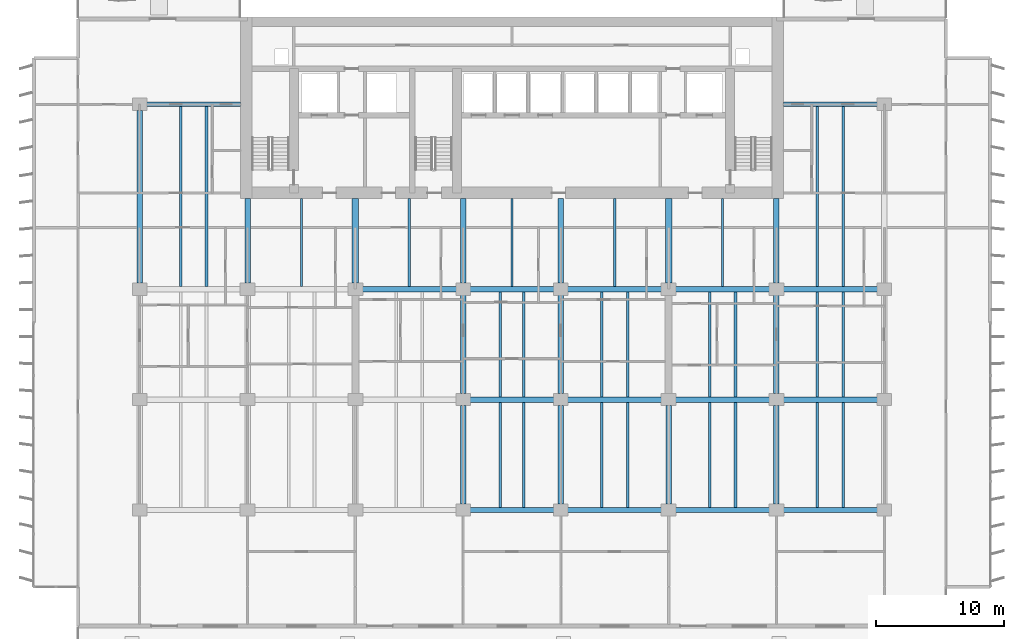
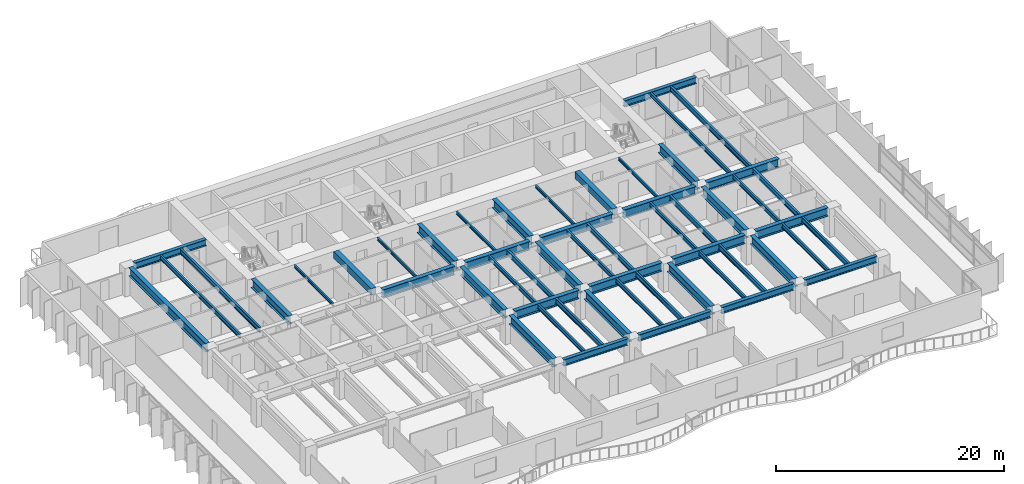
# One storey, part 3 of 16: 54 beams.
"""IFC4 building model written with IfcOpenShell, lengths in metres."""

import ifcopenshell
import ifcopenshell.guid

model = None  # the IFC model being written
_history = None  # IfcOwnerHistory: only IFC2X3 demands one
_inside = {}  # id of a spatial element -> (the spatial element, [elements in it])
_under = {}  # id of a project, library or spatial element -> (it, [spatial elements below it])
_declared = {}  # id of a project -> (the project, [libraries it declares])
_typed = {}  # id of a type object -> (the type object, [elements of that type])
_made_of = {}  # id of a material, layer set ... -> (it, [elements and type objects made of it])


def new_model(schema):
    """Start an empty IFC model of exactly this schema.

    Asked for "IFC4X3", IfcOpenShell would pick the latest addendum, in which some entities
    have other attributes; the version numbers below select the first issue.
    IFC2X3 requires an IfcOwnerHistory on every rooted entity: one is made here for all.
    """
    global model, _history
    if schema == "IFC4X3":
        model = ifcopenshell.file(schema_version=(4, 3, 0, 0))
    else:
        model = ifcopenshell.file(schema=schema)
    _inside.clear()
    _under.clear()
    _declared.clear()
    _typed.clear()
    _made_of.clear()
    _history = None
    if model.schema == "IFC2X3":
        org = make("IfcOrganization", Name="unknown")
        user = make(
            "IfcPersonAndOrganization",
            ThePerson=make("IfcPerson", FamilyName="unknown"),
            TheOrganization=org,
        )
        app = make(
            "IfcApplication",
            ApplicationDeveloper=org,
            Version="unknown",
            ApplicationFullName="unknown",
            ApplicationIdentifier="unknown",
        )
        _history = make(
            "IfcOwnerHistory",
            OwningUser=user,
            OwningApplication=app,
            ChangeAction="ADDED",
            CreationDate=0,
        )
    return model


def make(cls, **values):
    """One entity of the class cls with the attributes given. An attribute that is None is left unset."""
    return model.create_entity(
        cls, **{name: value for name, value in values.items() if value is not None}
    )


def rooted(cls, **values):
    """An entity with a GlobalId (a new one), such as an element, a storey or a relation."""
    return make(cls, GlobalId=ifcopenshell.guid.new(), OwnerHistory=_history, **values)


def si_unit(unit_type, name, prefix=None):
    """IfcSIUnit, for example si_unit("LENGTHUNIT", "METRE", prefix="MILLI")."""
    return make("IfcSIUnit", UnitType=unit_type, Prefix=prefix, Name=name)


def assignment(units):
    """IfcUnitAssignment: the units of a project."""
    return None if units is None else make("IfcUnitAssignment", Units=units)


def point(xyz):
    """IfcCartesianPoint."""
    return None if xyz is None else make("IfcCartesianPoint", Coordinates=xyz)


def direction(xyz):
    """IfcDirection."""
    return None if xyz is None else make("IfcDirection", DirectionRatios=xyz)


def frame(location, z_axis=None, x_axis=None):
    """IfcAxis2Placement3D, a coordinate frame: its origin and axes. An axis left out is left unset."""
    return make(
        "IfcAxis2Placement3D",
        Location=point(location),
        Axis=direction(z_axis),
        RefDirection=direction(x_axis),
    )


def frame_2d(location, x_axis=None):
    """IfcAxis2Placement2D, a coordinate frame in the plane: its origin and x axis."""
    return make(
        "IfcAxis2Placement2D", Location=point(location), RefDirection=direction(x_axis)
    )


def origin():
    """The frame at (0, 0, 0) with its axes left unset."""
    return frame((0.0, 0.0, 0.0))


def origin_2d():
    """The frame at (0, 0) in the plane with its x axis left unset."""
    return frame_2d((0.0, 0.0))


def place(relative_to, where):
    """IfcLocalPlacement: puts the frame where relative to a parent placement (None: the world)."""
    return make(
        "IfcLocalPlacement", PlacementRelTo=relative_to, RelativePlacement=where
    )


def context(
    kind, dimensions, precision=None, world=None, true_north=None, identifier=None
):
    """IfcGeometricRepresentationContext, for example the 3D "Model" context."""
    return make(
        "IfcGeometricRepresentationContext",
        ContextIdentifier=identifier,
        ContextType=kind,
        CoordinateSpaceDimension=dimensions,
        Precision=precision,
        WorldCoordinateSystem=world,
        TrueNorth=true_north,
    )


def subcontext(parent, identifier, kind, view, scale=None):
    """IfcGeometricRepresentationSubContext, for example "Body" below "Model"."""
    return make(
        "IfcGeometricRepresentationSubContext",
        ContextIdentifier=identifier,
        ContextType=kind,
        ParentContext=parent,
        TargetScale=scale,
        TargetView=view,
    )


def project(units=None, contexts=None):
    """IfcProject with its units and contexts."""
    return rooted(
        "IfcProject",
        Name="project",
        RepresentationContexts=contexts,
        UnitsInContext=assignment(units),
    )


def spatial(cls, under=None, at=None, **own):
    """A site, building, storey or space (cls), placed at a placement, below another one or the project."""
    s = rooted(cls, ObjectPlacement=at, **own)
    if under is not None:
        _under.setdefault(under.id(), (under, []))[1].append(s)
    return s


def profile(cls, at=None, kind="AREA", **sizes):
    """A parametric profile (cls). Its sizes go by their IFC names, for example OverallWidth=200.0."""
    return make(cls, ProfileType=kind, Position=at, **sizes)


def rectangle(**sizes):
    """IfcRectangleProfileDef."""
    return profile("IfcRectangleProfileDef", **sizes)


def i_section(**sizes):
    """IfcIShapeProfileDef."""
    return profile("IfcIShapeProfileDef", **sizes)


def extrude(swept, where, along, depth):
    """IfcExtrudedAreaSolid: the profile swept, set in the frame where, extruded along a direction by depth."""
    return make(
        "IfcExtrudedAreaSolid",
        SweptArea=swept,
        Position=where,
        ExtrudedDirection=direction(along),
        Depth=depth,
    )


def shape(context_of_items, identifier, shape_type, items):
    """IfcShapeRepresentation: the items that make up one representation, for example the "Body"."""
    return make(
        "IfcShapeRepresentation",
        ContextOfItems=context_of_items,
        RepresentationIdentifier=identifier,
        RepresentationType=shape_type,
        Items=items,
    )


def material(Name=None, Category=None):
    """IfcMaterial."""
    return make("IfcMaterial", Name=Name, Category=Category)


def material_profile(
    of_material, cross_section, Name=None, Category=None, Priority=None
):
    """IfcMaterialProfile: a cross section and its material."""
    return make(
        "IfcMaterialProfile",
        Name=Name,
        Material=of_material,
        Profile=cross_section,
        Priority=Priority,
        Category=Category,
    )


def profile_set(profiles, Name=None, composite=None):
    """IfcMaterialProfileSet."""
    return make(
        "IfcMaterialProfileSet",
        Name=Name,
        MaterialProfiles=profiles,
        CompositeProfile=composite,
    )


def made_of(thing, what):
    """Note that an element or type object is made of a material, layer set ...; save() writes the relation."""
    if what is not None:
        _made_of.setdefault(what.id(), (what, []))[1].append(thing)
    return thing


def type_object(cls, material=None, **own):
    """A type object (cls), such as IfcWallType, which elements share."""
    return made_of(rooted(cls, **own), material)


def element(
    cls,
    number,
    at=None,
    inside=None,
    cuts=None,
    type_object=None,
    material=None,
    context=None,
    identifier="Body",
    shape_type=None,
    held_by="IfcProductDefinitionShape",
    body=None,
    shapes=None,
    **own,
):
    """One element of the class cls, such as IfcWall. Its Tag is "e" and its number.

    at: its placement. inside: the storey or other place that contains it. cuts: it is an
    opening in that element (IfcRelVoidsElement). A single representation is given by context,
    identifier, shape_type and body (its items); several are given by shapes. held_by: the class
    of the entity that holds the representations. save() writes the other relations.
    """
    e = rooted(cls, Tag="e%d" % number, ObjectPlacement=at, **own)
    if body is not None:
        shapes = [shape(context, identifier, shape_type, body)]
    if shapes is not None:
        e.Representation = make(held_by, Representations=shapes)
    if inside is not None:
        _inside.setdefault(inside.id(), (inside, []))[1].append(e)
    if cuts is not None:
        rooted(
            "IfcRelVoidsElement", RelatingBuildingElement=cuts, RelatedOpeningElement=e
        )
    if type_object is not None:
        _typed.setdefault(type_object.id(), (type_object, []))[1].append(e)
    return made_of(e, material)


def aggregate(whole, parts):
    """IfcRelAggregates: a whole, such as a stair, and the parts it consists of."""
    return rooted("IfcRelAggregates", RelatingObject=whole, RelatedObjects=parts)


def save(model, path):
    """Write the relations noted so far, then the file.

    IfcRelAggregates (storeys below a building ...), IfcRelContainedInSpatialStructure (elements
    in a storey), IfcRelDefinesByType, IfcRelAssociatesMaterial and IfcRelDeclares: one each for
    every whole, place, type object, material and project.
    """
    for whole, parts in _under.values():
        aggregate(whole, parts)
    for where, things in _inside.values():
        rooted(
            "IfcRelContainedInSpatialStructure",
            RelatedElements=things,
            RelatingStructure=where,
        )
    for kind, things in _typed.values():
        rooted("IfcRelDefinesByType", RelatedObjects=things, RelatingType=kind)
    for what, things in _made_of.values():
        rooted("IfcRelAssociatesMaterial", RelatedObjects=things, RelatingMaterial=what)
    for by, libraries in _declared.values():
        rooted("IfcRelDeclares", RelatingContext=by, RelatedDefinitions=libraries)
    model.write(path)


model = new_model("IFC4")

# Units and contexts
model_context = context("Model", 3, precision=1e-05, world=origin(), true_north=direction((0.0, 1.0)))
body_context = subcontext(model_context, "Body", "Model", "MODEL_VIEW")
ifc_project = project(units=[si_unit("LENGTHUNIT", "METRE"), si_unit("AREAUNIT", "SQUARE_METRE"), si_unit("VOLUMEUNIT", "CUBIC_METRE"), si_unit("PLANEANGLEUNIT", "RADIAN"), si_unit("MASSUNIT", "GRAM", prefix="KILO")], contexts=[model_context])

# Site, building, storey
site_placement = place(None, origin())
site = spatial("IfcSite", under=ifc_project, at=site_placement, CompositionType="ELEMENT")
building_placement = place(site_placement, origin())
building = spatial("IfcBuilding", under=site, at=building_placement, Name="Caelmar Bay Residences", CompositionType="ELEMENT")
storey_placement = place(building_placement, frame((0.0, 0.0, 72.89990234375)))
storey = spatial("IfcBuildingStorey", under=building, at=storey_placement, Name="L19", CompositionType="ELEMENT", Elevation=72.89990234375)

# Beams
ifc_material_1 = material(Name="Steel ASTM A992 Grade 50", Category="steel")
ifc_material_profile_1 = material_profile(ifc_material_1, i_section(OverallWidth=0.422119140625, OverallDepth=0.925048828125, WebThickness=0.021240234375, FlangeThickness=0.03662109375, FilletRadius=0.020263671875, at=origin_2d()), Name="W36X262")
ifc_profile_set_1 = profile_set([ifc_material_profile_1], Name="Steel ASTM A992 Grade 50")
beam_type_1 = type_object("IfcBeamType", Name="BM-GRD-W36X262", PredefinedType="BEAM", material=ifc_profile_set_1)
beam_1_placement = place(storey_placement, frame((35.639892578125, 20.800048828125, 2.587646484375), z_axis=(1.0, 0.0, 0.0), x_axis=(0.0, 1.0, 0.0)))
element("IfcBeam", 1, at=beam_1_placement, inside=storey, type_object=beam_type_1, Name="L19 East-West Girder Y=20.80 (35.1-42.7)", PredefinedType="BEAM", context=body_context, shape_type="SweptSolid", body=[
    extrude(i_section(OverallWidth=0.422119140625, OverallDepth=0.925048828125, WebThickness=0.021240234375, FlangeThickness=0.03662109375, FilletRadius=0.020263671875, at=origin_2d()), origin(), (0.0, 0.0, 1.0), 6.52001953125),
])
for number, where, z_axis, x_axis, name in (
    (2, (43.239990234375, 20.800048828125, 2.587646484375), (1.0, 0.0, 0.0), (0.0, 1.0, 0.0), "L19 East-West Girder Y=20.80 (42.7-51.1)"),
    (3, (51.639892578125, 20.800048828125, 2.587646484375), (1.0, 0.0, 0.0), (0.0, 1.0, 0.0), "L19 East-West Girder Y=20.80 (51.1-59.5)"),
    (4, (60.0400390625, 20.800048828125, 2.587646484375), (1.0, 0.0, 0.0), (0.0, 1.0, 0.0), "L19 East-West Girder Y=20.80 (59.5-67.9)"),
    (5, (27.239990234375, 29.39990234375, 2.587646484375), (1.0, 0.0, 0.0), (0.0, 1.0, 0.0), "L19 East-West Girder Y=29.40 (26.7-35.1)"),
):
    element("IfcBeam", number, at=place(storey_placement, frame(where, z_axis=z_axis, x_axis=x_axis)), inside=storey, type_object=beam_type_1, Name=name, PredefinedType="BEAM", context=body_context, shape_type="SweptSolid", body=[
        extrude(i_section(OverallWidth=0.422119140625, OverallDepth=0.925048828125, WebThickness=0.021240234375, FlangeThickness=0.03662109375, FilletRadius=0.020263671875, at=origin_2d()), origin(), (0.0, 0.0, 1.0), 7.320068359375),
    ])
beam_2_placement = place(storey_placement, frame((35.639892578125, 29.39990234375, 2.587646484375), z_axis=(1.0, 0.0, 0.0), x_axis=(0.0, 1.0, 0.0)))
element("IfcBeam", 6, at=beam_2_placement, inside=storey, type_object=beam_type_1, Name="L19 East-West Girder Y=29.40 (35.1-42.7)", PredefinedType="BEAM", context=body_context, shape_type="SweptSolid", body=[
    extrude(i_section(OverallWidth=0.422119140625, OverallDepth=0.925048828125, WebThickness=0.021240234375, FlangeThickness=0.03662109375, FilletRadius=0.020263671875, at=origin_2d()), origin(), (0.0, 0.0, 1.0), 6.52001953125),
])
for number, where, z_axis, x_axis, name in (
    (7, (43.239990234375, 29.39990234375, 2.587646484375), (1.0, 0.0, 0.0), (0.0, 1.0, 0.0), "L19 East-West Girder Y=29.40 (42.7-51.1)"),
    (8, (51.639892578125, 29.39990234375, 2.587646484375), (1.0, 0.0, 0.0), (0.0, 1.0, 0.0), "L19 East-West Girder Y=29.40 (51.1-59.5)"),
    (9, (60.0400390625, 29.39990234375, 2.587646484375), (1.0, 0.0, 0.0), (0.0, 1.0, 0.0), "L19 East-West Girder Y=29.40 (59.5-67.9)"),
):
    element("IfcBeam", number, at=place(storey_placement, frame(where, z_axis=z_axis, x_axis=x_axis)), inside=storey, type_object=beam_type_1, Name=name, PredefinedType="BEAM", context=body_context, shape_type="SweptSolid", body=[
        extrude(i_section(OverallWidth=0.422119140625, OverallDepth=0.925048828125, WebThickness=0.021240234375, FlangeThickness=0.03662109375, FilletRadius=0.020263671875, at=origin_2d()), origin(), (0.0, 0.0, 1.0), 7.320068359375),
    ])
beam_3_placement = place(storey_placement, frame((9.89990234375, 29.864990234375, 2.587646484375), z_axis=(0.0, 1.0, 0.0), x_axis=(-1.0, 0.0, 0.0)))
element("IfcBeam", 10, at=beam_3_placement, inside=storey, type_object=beam_type_1, Name="L19 North-South Girder X=9.90 (29.4-43.8)", PredefinedType="BEAM", context=body_context, shape_type="SweptSolid", body=[
    extrude(i_section(OverallWidth=0.422119140625, OverallDepth=0.925048828125, WebThickness=0.021240234375, FlangeThickness=0.03662109375, FilletRadius=0.020263671875, at=origin_2d()), origin(), (0.0, 0.0, 1.0), 13.469970703125),
])
for number, where, z_axis, x_axis, name in (
    (11, (18.300048828125, 29.864990234375, 2.587646484375), (0.0, 1.0, 0.0), (-1.0, 0.0, 0.0), "L19 Core Tie Girder X=18.30"),
    (12, (35.10009765625, 29.864990234375, 2.587646484375), (0.0, 1.0, 0.0), (-1.0, 0.0, 0.0), "L19 Core Tie Girder X=35.10"),
):
    element("IfcBeam", number, at=place(storey_placement, frame(where, z_axis=z_axis, x_axis=x_axis)), inside=storey, type_object=beam_type_1, Name=name, PredefinedType="BEAM", context=body_context, shape_type="SweptSolid", body=[
        extrude(i_section(OverallWidth=0.422119140625, OverallDepth=0.925048828125, WebThickness=0.021240234375, FlangeThickness=0.03662109375, FilletRadius=0.020263671875, at=origin_2d()), origin(), (0.0, 0.0, 1.0), 6.5849609375),
    ])
beam_4_placement = place(storey_placement, frame((35.10009765625, 12.6650390625, 2.587646484375), z_axis=(0.0, 1.0, 0.0), x_axis=(-1.0, 0.0, 0.0)))
element("IfcBeam", 13, at=beam_4_placement, inside=storey, type_object=beam_type_1, Name="L19 North-South Girder X=35.10 (12.2-20.8)", PredefinedType="BEAM", context=body_context, shape_type="SweptSolid", body=[
    extrude(i_section(OverallWidth=0.422119140625, OverallDepth=0.925048828125, WebThickness=0.021240234375, FlangeThickness=0.03662109375, FilletRadius=0.020263671875, at=origin_2d()), origin(), (0.0, 0.0, 1.0), 7.669921875),
])
beam_5_placement = place(storey_placement, frame((35.10009765625, 21.264892578125, 2.587646484375), z_axis=(0.0, 1.0, 0.0), x_axis=(-1.0, 0.0, 0.0)))
element("IfcBeam", 14, at=beam_5_placement, inside=storey, type_object=beam_type_1, Name="L19 North-South Girder X=35.10 (20.8-29.4)", PredefinedType="BEAM", context=body_context, shape_type="SweptSolid", body=[
    extrude(i_section(OverallWidth=0.422119140625, OverallDepth=0.925048828125, WebThickness=0.021240234375, FlangeThickness=0.03662109375, FilletRadius=0.020263671875, at=origin_2d()), origin(), (0.0, 0.0, 1.0), 7.670166015625),
])
beam_6_placement = place(storey_placement, frame((42.699951171875, 29.864990234375, 2.587646484375), z_axis=(0.0, 1.0, 0.0), x_axis=(-1.0, 0.0, 0.0)))
element("IfcBeam", 15, at=beam_6_placement, inside=storey, type_object=beam_type_1, Name="L19 Core Tie Girder X=42.70", PredefinedType="BEAM", context=body_context, shape_type="SweptSolid", body=[
    extrude(i_section(OverallWidth=0.422119140625, OverallDepth=0.925048828125, WebThickness=0.021240234375, FlangeThickness=0.03662109375, FilletRadius=0.020263671875, at=origin_2d()), origin(), (0.0, 0.0, 1.0), 6.5849609375),
])
beam_7_placement = place(storey_placement, frame((42.699951171875, 12.6650390625, 2.587646484375), z_axis=(0.0, 1.0, 0.0), x_axis=(-1.0, 0.0, 0.0)))
element("IfcBeam", 16, at=beam_7_placement, inside=storey, type_object=beam_type_1, Name="L19 North-South Girder X=42.70 (12.2-20.8)", PredefinedType="BEAM", context=body_context, shape_type="SweptSolid", body=[
    extrude(i_section(OverallWidth=0.422119140625, OverallDepth=0.925048828125, WebThickness=0.021240234375, FlangeThickness=0.03662109375, FilletRadius=0.020263671875, at=origin_2d()), origin(), (0.0, 0.0, 1.0), 7.669921875),
])
beam_8_placement = place(storey_placement, frame((42.699951171875, 21.264892578125, 2.587646484375), z_axis=(0.0, 1.0, 0.0), x_axis=(-1.0, 0.0, 0.0)))
element("IfcBeam", 17, at=beam_8_placement, inside=storey, type_object=beam_type_1, Name="L19 North-South Girder X=42.70 (20.8-29.4)", PredefinedType="BEAM", context=body_context, shape_type="SweptSolid", body=[
    extrude(i_section(OverallWidth=0.422119140625, OverallDepth=0.925048828125, WebThickness=0.021240234375, FlangeThickness=0.03662109375, FilletRadius=0.020263671875, at=origin_2d()), origin(), (0.0, 0.0, 1.0), 7.670166015625),
])
beam_9_placement = place(storey_placement, frame((51.10009765625, 12.6650390625, 2.587646484375), z_axis=(0.0, 1.0, 0.0), x_axis=(-1.0, 0.0, 0.0)))
element("IfcBeam", 18, at=beam_9_placement, inside=storey, type_object=beam_type_1, Name="L19 North-South Girder X=51.10 (12.2-20.8)", PredefinedType="BEAM", context=body_context, shape_type="SweptSolid", body=[
    extrude(i_section(OverallWidth=0.422119140625, OverallDepth=0.925048828125, WebThickness=0.021240234375, FlangeThickness=0.03662109375, FilletRadius=0.020263671875, at=origin_2d()), origin(), (0.0, 0.0, 1.0), 7.669921875),
])
beam_10_placement = place(storey_placement, frame((59.5, 29.864990234375, 2.587646484375), z_axis=(0.0, 1.0, 0.0), x_axis=(-1.0, 0.0, 0.0)))
element("IfcBeam", 19, at=beam_10_placement, inside=storey, type_object=beam_type_1, Name="L19 Core Tie Girder X=59.50", PredefinedType="BEAM", context=body_context, shape_type="SweptSolid", body=[
    extrude(i_section(OverallWidth=0.422119140625, OverallDepth=0.925048828125, WebThickness=0.021240234375, FlangeThickness=0.03662109375, FilletRadius=0.020263671875, at=origin_2d()), origin(), (0.0, 0.0, 1.0), 6.5849609375),
])
beam_11_placement = place(storey_placement, frame((59.5, 12.6650390625, 2.587646484375), z_axis=(0.0, 1.0, 0.0), x_axis=(-1.0, 0.0, 0.0)))
element("IfcBeam", 20, at=beam_11_placement, inside=storey, type_object=beam_type_1, Name="L19 North-South Girder X=59.50 (12.2-20.8)", PredefinedType="BEAM", context=body_context, shape_type="SweptSolid", body=[
    extrude(i_section(OverallWidth=0.422119140625, OverallDepth=0.925048828125, WebThickness=0.021240234375, FlangeThickness=0.03662109375, FilletRadius=0.020263671875, at=origin_2d()), origin(), (0.0, 0.0, 1.0), 7.669921875),
])
beam_12_placement = place(storey_placement, frame((59.5, 21.264892578125, 2.587646484375), z_axis=(0.0, 1.0, 0.0), x_axis=(-1.0, 0.0, 0.0)))
element("IfcBeam", 21, at=beam_12_placement, inside=storey, type_object=beam_type_1, Name="L19 North-South Girder X=59.50 (20.8-29.4)", PredefinedType="BEAM", context=body_context, shape_type="SweptSolid", body=[
    extrude(i_section(OverallWidth=0.422119140625, OverallDepth=0.925048828125, WebThickness=0.021240234375, FlangeThickness=0.03662109375, FilletRadius=0.020263671875, at=origin_2d()), origin(), (0.0, 0.0, 1.0), 7.670166015625),
])
ifc_material_profile_2 = material_profile(ifc_material_1, i_section(OverallWidth=0.1650390625, OverallDepth=0.31005859375, WebThickness=0.005859375, FlangeThickness=0.009765625, FilletRadius=0.007568359375, at=origin_2d()), Name="W12X26")
ifc_profile_set_2 = profile_set([ifc_material_profile_2], Name="Steel ASTM A992 Grade 50")
beam_type_2 = type_object("IfcBeamType", Name="BM-JST-W12X26", PredefinedType="JOIST", material=ifc_profile_set_2)
for number, where, z_axis, x_axis, name in (
    (22, (22.5, 29.611083984375, 2.89501953125), (0.0, 1.0, 0.0), (-1.0, 0.0, 0.0), "L19 Core-Band Composite Joist 29"),
    (23, (30.89990234375, 29.611083984375, 2.89501953125), (0.0, 1.0, 0.0), (-1.0, 0.0, 0.0), "L19 Core-Band Composite Joist 30"),
    (24, (38.89990234375, 29.611083984375, 2.89501953125), (0.0, 1.0, 0.0), (-1.0, 0.0, 0.0), "L19 Core-Band Composite Joist 31"),
    (25, (46.89990234375, 29.611083984375, 2.89501953125), (0.0, 1.0, 0.0), (-1.0, 0.0, 0.0), "L19 Core-Band Composite Joist 32"),
    (26, (55.300048828125, 29.611083984375, 2.89501953125), (0.0, 1.0, 0.0), (-1.0, 0.0, 0.0), "L19 Core-Band Composite Joist 33"),
):
    element("IfcBeam", number, at=place(storey_placement, frame(where, z_axis=z_axis, x_axis=x_axis)), inside=storey, type_object=beam_type_2, Name=name, PredefinedType="JOIST", context=body_context, shape_type="SweptSolid", body=[
        extrude(i_section(OverallWidth=0.1650390625, OverallDepth=0.31005859375, WebThickness=0.005859375, FlangeThickness=0.009765625, FilletRadius=0.007568359375, at=origin_2d()), origin(), (0.0, 0.0, 1.0), 6.8388671875),
    ])
ifc_material_profile_3 = material_profile(ifc_material_1, i_section(OverallWidth=0.19091796875, OverallDepth=0.45703125, WebThickness=0.009033203125, FlangeThickness=0.014404296875, FilletRadius=0.01025390625, at=origin_2d()), Name="W18X50")
ifc_profile_set_3 = profile_set([ifc_material_profile_3], Name="Steel ASTM A992 Grade 50")
beam_type_3 = type_object("IfcBeamType", Name="BM-JST-W18X50", PredefinedType="JOIST", material=ifc_profile_set_3)
for number, where, z_axis, x_axis, name in (
    (27, (37.988037109375, 12.3779296875, 2.821533203125), (0.0, 1.0, 0.0), (-1.0, 0.0, 0.0), "L19 Composite Floor Joist 7"),
    (28, (45.89208984375, 12.3779296875, 2.821533203125), (0.0, 1.0, 0.0), (-1.0, 0.0, 0.0), "L19 Composite Floor Joist 9"),
    (29, (54.2919921875, 12.3779296875, 2.821533203125), (0.0, 1.0, 0.0), (-1.0, 0.0, 0.0), "L19 Composite Floor Joist 11"),
    (30, (62.69189453125, 12.3779296875, 2.821533203125), (0.0, 1.0, 0.0), (-1.0, 0.0, 0.0), "L19 Composite Floor Joist 13"),
):
    element("IfcBeam", number, at=place(storey_placement, frame(where, z_axis=z_axis, x_axis=x_axis)), inside=storey, type_object=beam_type_3, Name=name, PredefinedType="JOIST", context=body_context, shape_type="SweptSolid", body=[
        extrude(i_section(OverallWidth=0.19091796875, OverallDepth=0.45703125, WebThickness=0.009033203125, FlangeThickness=0.014404296875, FilletRadius=0.01025390625, at=origin_2d()), origin(), (0.0, 0.0, 1.0), 8.211181640625),
    ])
for number, where, z_axis, x_axis, name in (
    (31, (37.988037109375, 21.010986328125, 2.821533203125), (0.0, 1.0, 0.0), (-1.0, 0.0, 0.0), "L19 Composite Floor Joist 21"),
    (32, (45.89208984375, 21.010986328125, 2.821533203125), (0.0, 1.0, 0.0), (-1.0, 0.0, 0.0), "L19 Composite Floor Joist 23"),
    (33, (54.2919921875, 21.010986328125, 2.821533203125), (0.0, 1.0, 0.0), (-1.0, 0.0, 0.0), "L19 Composite Floor Joist 25"),
    (34, (62.69189453125, 21.010986328125, 2.821533203125), (0.0, 1.0, 0.0), (-1.0, 0.0, 0.0), "L19 Composite Floor Joist 27"),
):
    element("IfcBeam", number, at=place(storey_placement, frame(where, z_axis=z_axis, x_axis=x_axis)), inside=storey, type_object=beam_type_3, Name=name, PredefinedType="JOIST", context=body_context, shape_type="SweptSolid", body=[
        extrude(i_section(OverallWidth=0.19091796875, OverallDepth=0.45703125, WebThickness=0.009033203125, FlangeThickness=0.014404296875, FilletRadius=0.01025390625, at=origin_2d()), origin(), (0.0, 0.0, 1.0), 8.177978515625),
    ])
for number, where, z_axis, x_axis, name in (
    (35, (13.092041015625, 29.611083984375, 2.821533203125), (0.0, 1.0, 0.0), (-1.0, 0.0, 0.0), "L19 Composite Floor Joist 34"),
    (36, (62.69189453125, 29.611083984375, 2.821533203125), (0.0, 1.0, 0.0), (-1.0, 0.0, 0.0), "L19 Composite Floor Joist 36"),
):
    element("IfcBeam", number, at=place(storey_placement, frame(where, z_axis=z_axis, x_axis=x_axis)), inside=storey, type_object=beam_type_3, Name=name, PredefinedType="JOIST", context=body_context, shape_type="SweptSolid", body=[
        extrude(i_section(OverallWidth=0.19091796875, OverallDepth=0.45703125, WebThickness=0.009033203125, FlangeThickness=0.014404296875, FilletRadius=0.01025390625, at=origin_2d()), origin(), (0.0, 0.0, 1.0), 14.010986328125),
    ])
ifc_material_profile_4 = material_profile(ifc_material_1, i_section(OverallWidth=0.214111328125, OverallDepth=0.549072265625, WebThickness=0.0146484375, FlangeThickness=0.023681640625, FilletRadius=0.0126953125, at=origin_2d()), Name="W21X93")
ifc_profile_set_4 = profile_set([ifc_material_profile_4], Name="Steel ASTM A992 Grade 50")
beam_type_4 = type_object("IfcBeamType", Name="BM-JST-W21X93", PredefinedType="JOIST", material=ifc_profile_set_4)
for number, where, z_axis, x_axis, name in (
    (37, (39.81201171875, 12.3779296875, 2.775634765625), (0.0, 1.0, 0.0), (-1.0, 0.0, 0.0), "L19 Composite Floor Joist 8"),
    (38, (47.907958984375, 12.3779296875, 2.775634765625), (0.0, 1.0, 0.0), (-1.0, 0.0, 0.0), "L19 Composite Floor Joist 10"),
    (39, (56.30810546875, 12.3779296875, 2.775634765625), (0.0, 1.0, 0.0), (-1.0, 0.0, 0.0), "L19 Composite Floor Joist 12"),
    (40, (64.7080078125, 12.3779296875, 2.775634765625), (0.0, 1.0, 0.0), (-1.0, 0.0, 0.0), "L19 Composite Floor Joist 14"),
):
    element("IfcBeam", number, at=place(storey_placement, frame(where, z_axis=z_axis, x_axis=x_axis)), inside=storey, type_object=beam_type_4, Name=name, PredefinedType="JOIST", context=body_context, shape_type="SweptSolid", body=[
        extrude(i_section(OverallWidth=0.214111328125, OverallDepth=0.549072265625, WebThickness=0.0146484375, FlangeThickness=0.023681640625, FilletRadius=0.0126953125, at=origin_2d()), origin(), (0.0, 0.0, 1.0), 8.211181640625),
    ])
for number, where, z_axis, x_axis, name in (
    (41, (39.81201171875, 21.010986328125, 2.775634765625), (0.0, 1.0, 0.0), (-1.0, 0.0, 0.0), "L19 Composite Floor Joist 22"),
    (42, (47.907958984375, 21.010986328125, 2.775634765625), (0.0, 1.0, 0.0), (-1.0, 0.0, 0.0), "L19 Composite Floor Joist 24"),
    (43, (56.30810546875, 21.010986328125, 2.775634765625), (0.0, 1.0, 0.0), (-1.0, 0.0, 0.0), "L19 Composite Floor Joist 26"),
    (44, (64.7080078125, 21.010986328125, 2.775634765625), (0.0, 1.0, 0.0), (-1.0, 0.0, 0.0), "L19 Composite Floor Joist 28"),
):
    element("IfcBeam", number, at=place(storey_placement, frame(where, z_axis=z_axis, x_axis=x_axis)), inside=storey, type_object=beam_type_4, Name=name, PredefinedType="JOIST", context=body_context, shape_type="SweptSolid", body=[
        extrude(i_section(OverallWidth=0.214111328125, OverallDepth=0.549072265625, WebThickness=0.0146484375, FlangeThickness=0.023681640625, FilletRadius=0.0126953125, at=origin_2d()), origin(), (0.0, 0.0, 1.0), 8.177978515625),
    ])
for number, where, z_axis, x_axis, name in (
    (45, (15.10791015625, 29.611083984375, 2.775634765625), (0.0, 1.0, 0.0), (-1.0, 0.0, 0.0), "L19 Composite Floor Joist 35"),
    (46, (64.7080078125, 29.611083984375, 2.775634765625), (0.0, 1.0, 0.0), (-1.0, 0.0, 0.0), "L19 Composite Floor Joist 37"),
):
    element("IfcBeam", number, at=place(storey_placement, frame(where, z_axis=z_axis, x_axis=x_axis)), inside=storey, type_object=beam_type_4, Name=name, PredefinedType="JOIST", context=body_context, shape_type="SweptSolid", body=[
        extrude(i_section(OverallWidth=0.214111328125, OverallDepth=0.549072265625, WebThickness=0.0146484375, FlangeThickness=0.023681640625, FilletRadius=0.0126953125, at=origin_2d()), origin(), (0.0, 0.0, 1.0), 14.010986328125),
    ])
ifc_material_2 = material(Name="Concrete f'c 55 MPa (8,000 psi)", Category="concrete")
ifc_material_profile_5 = material_profile(ifc_material_2, rectangle(XDim=0.5, YDim=0.699951171875, at=origin_2d()), Name="RC-BM-500X700")
ifc_profile_set_5 = profile_set([ifc_material_profile_5], Name="Concrete f'c 55 MPa (8,000 psi)")
beam_type_5 = type_object("IfcBeamType", Name="BM-RC-500X700", PredefinedType="LINTEL", material=ifc_profile_set_5)
for number, where, z_axis, x_axis, name in (
    (47, (26.699951171875, 29.864990234375, 2.7001953125), (0.0, 1.0, 0.0), (-1.0, 0.0, 0.0), "L19 Shear-Wall Corridor Coupling Lintel W5"),
    (48, (51.10009765625, 29.864990234375, 2.7001953125), (0.0, 1.0, 0.0), (-1.0, 0.0, 0.0), "L19 Shear-Wall Corridor Coupling Lintel E8"),
):
    element("IfcBeam", number, at=place(storey_placement, frame(where, z_axis=z_axis, x_axis=x_axis)), inside=storey, type_object=beam_type_5, Name=name, PredefinedType="LINTEL", context=body_context, shape_type="SweptSolid", body=[
        extrude(rectangle(XDim=0.5, YDim=0.699951171875, at=origin_2d()), origin(), (0.0, 0.0, 1.0), 6.5849609375),
    ])
ifc_material_profile_6 = material_profile(ifc_material_1, i_section(OverallWidth=0.35595703125, OverallDepth=0.696044921875, WebThickness=0.015380859375, FlangeThickness=0.02490234375, FilletRadius=0.01513671875, at=origin_2d()), Name="W27X146")
ifc_profile_set_6 = profile_set([ifc_material_profile_6], Name="Steel ASTM A992 Grade 50")
beam_type_6 = type_object("IfcBeamType", Name="BM-SPN-W27X146", PredefinedType="SPANDREL", material=ifc_profile_set_6)
beam_13_placement = place(storey_placement, frame((35.639892578125, 12.199951171875, 2.7021484375), z_axis=(1.0, 0.0, 0.0), x_axis=(0.0, 1.0, 0.0)))
element("IfcBeam", 49, at=beam_13_placement, inside=storey, type_object=beam_type_6, Name="L19 East-West Girder Y=12.20 (35.1-42.7)", PredefinedType="SPANDREL", context=body_context, shape_type="SweptSolid", body=[
    extrude(i_section(OverallWidth=0.35595703125, OverallDepth=0.696044921875, WebThickness=0.015380859375, FlangeThickness=0.02490234375, FilletRadius=0.01513671875, at=origin_2d()), origin(), (0.0, 0.0, 1.0), 6.52001953125),
])
for number, where, z_axis, x_axis, name in (
    (50, (43.239990234375, 12.199951171875, 2.7021484375), (1.0, 0.0, 0.0), (0.0, 1.0, 0.0), "L19 East-West Girder Y=12.20 (42.7-51.1)"),
    (51, (51.639892578125, 12.199951171875, 2.7021484375), (1.0, 0.0, 0.0), (0.0, 1.0, 0.0), "L19 East-West Girder Y=12.20 (51.1-59.5)"),
    (52, (60.0400390625, 12.199951171875, 2.7021484375), (1.0, 0.0, 0.0), (0.0, 1.0, 0.0), "L19 East-West Girder Y=12.20 (59.5-67.9)"),
):
    element("IfcBeam", number, at=place(storey_placement, frame(where, z_axis=z_axis, x_axis=x_axis)), inside=storey, type_object=beam_type_6, Name=name, PredefinedType="SPANDREL", context=body_context, shape_type="SweptSolid", body=[
        extrude(i_section(OverallWidth=0.35595703125, OverallDepth=0.696044921875, WebThickness=0.015380859375, FlangeThickness=0.02490234375, FilletRadius=0.01513671875, at=origin_2d()), origin(), (0.0, 0.0, 1.0), 7.320068359375),
    ])
for number, where, z_axis, x_axis, name in (
    (53, (10.43994140625, 43.800048828125, 2.7021484375), (1.0, 0.0, 0.0), (0.0, 1.0, 0.0), "L19 North-West Wing Core Tie Girder"),
    (54, (60.050048828125, 43.800048828125, 2.7021484375), (1.0, 0.0, 0.0), (0.0, 1.0, 0.0), "L19 North-East Wing Core Tie Girder"),
):
    element("IfcBeam", number, at=place(storey_placement, frame(where, z_axis=z_axis, x_axis=x_axis)), inside=storey, type_object=beam_type_6, Name=name, PredefinedType="SPANDREL", context=body_context, shape_type="SweptSolid", body=[
        extrude(i_section(OverallWidth=0.35595703125, OverallDepth=0.696044921875, WebThickness=0.015380859375, FlangeThickness=0.02490234375, FilletRadius=0.01513671875, at=origin_2d()), origin(), (0.0, 0.0, 1.0), 7.31005859375),
    ])

save(model, "model.ifc")
